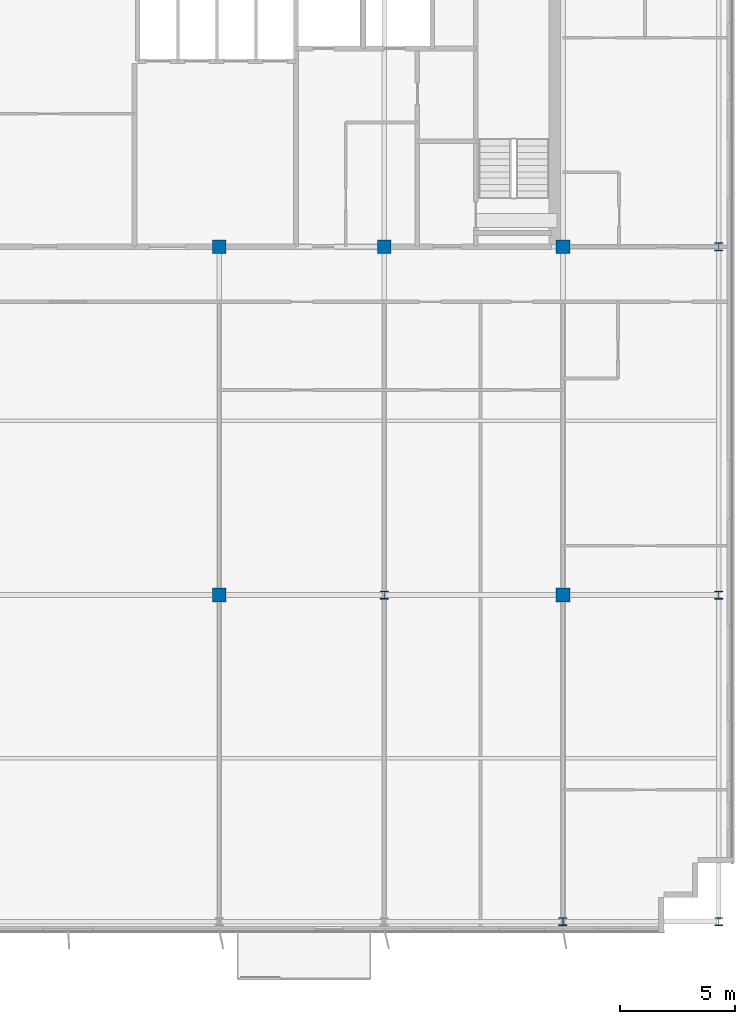
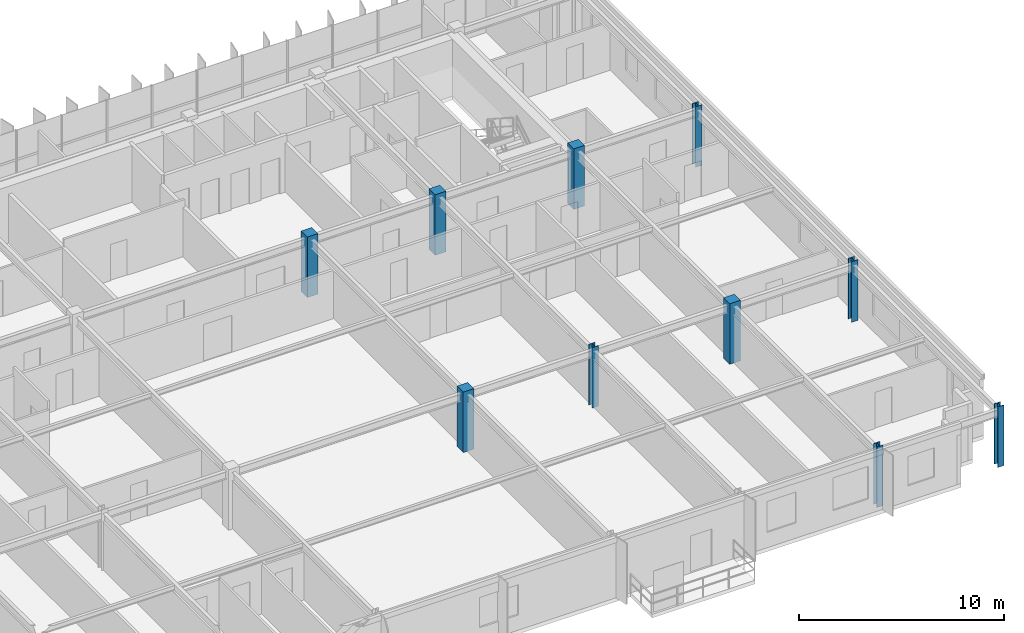
# One storey, part 2 of 22: 10 columns.
"""IFC4 building model written with IfcOpenShell, lengths in metres."""

from ifc_helpers import new_model, si_unit, direction, frame, origin, origin_2d, place, context, subcontext, project, spatial, rectangle, i_section, extrude, source, transform, mapped, material, material_profile, profile_set, type_object, element, save


model = new_model("IFC4")

# Units and contexts
model_context = context("Model", 3, precision=1e-05, world=origin(), true_north=direction((0.0, 1.0)))
body_context = subcontext(model_context, "Body", "Model", "MODEL_VIEW")
ifc_project = project(units=[si_unit("LENGTHUNIT", "METRE"), si_unit("AREAUNIT", "SQUARE_METRE"), si_unit("VOLUMEUNIT", "CUBIC_METRE"), si_unit("PLANEANGLEUNIT", "RADIAN"), si_unit("MASSUNIT", "GRAM", prefix="KILO")], contexts=[model_context])

# Site, building, storey
site_placement = place(None, origin())
site = spatial("IfcSite", under=ifc_project, at=site_placement, CompositionType="ELEMENT")
building_placement = place(site_placement, origin())
building = spatial("IfcBuilding", under=site, at=building_placement, Name="Trelvane Seafront Commons", CompositionType="ELEMENT")
storey_placement = place(building_placement, frame((0.0, 0.0, 277.5)))
storey = spatial("IfcBuildingStorey", under=building, at=storey_placement, Name="L72", CompositionType="ELEMENT", Elevation=277.5)

# Columns
ifc_material_1 = material(Name="Steel SM355 (S355)", Category="steel")
ifc_material_profile_1 = material_profile(ifc_material_1, i_section(OverallWidth=0.35009765625, OverallDepth=0.35009765625, WebThickness=0.01806640625, FlangeThickness=0.028076171875, at=origin_2d()), Name="HD-350x350x18x28")
ifc_profile_set_1 = profile_set([ifc_material_profile_1], Name="Steel SM355 (S355)")
column_type_1 = type_object("IfcColumnType", Name="STR-COL-HD350", PredefinedType="COLUMN", material=ifc_profile_set_1)
shared_shape_1 = source(origin(), body_context, "Body", "SweptSolid", [
    extrude(i_section(OverallWidth=0.35009765625, OverallDepth=0.35009765625, WebThickness=0.01806640625, FlangeThickness=0.028076171875, at=origin_2d()), origin(), (0.0, 0.0, 1.0), 3.60009765625),
])
for number, where, z_axis, x_axis, name in (
    (1, (51.0, 18.199951171875, 0.0), (0.0, 0.0, 1.0), (1.0, 0.0, 0.0), "L72 Column TC-M51.0"),
    (2, (58.800048828125, 3.949951171875, 0.0), (0.0, 0.0, 1.0), (1.0, 0.0, 0.0), "L72 Column TC-S58.8"),
    (3, (65.60009765625, 3.949951171875, 0.0), (0.0, 0.0, 1.0), (1.0, 0.0, 0.0), "L72 Column TC-S65.6"),
    (4, (65.60009765625, 18.199951171875, 0.0), (0.0, 0.0, 1.0), (1.0, 0.0, 0.0), "L72 Column TC-M65.6"),
    (5, (65.60009765625, 33.39990234375, 0.0), (0.0, 0.0, 1.0), (1.0, 0.0, 0.0), "L72 Column TC-CS65.6"),
):
    element("IfcColumn", number, at=place(storey_placement, frame(where, z_axis=z_axis, x_axis=x_axis)), inside=storey, type_object=column_type_1, Name=name, PredefinedType="COLUMN", context=body_context, shape_type="MappedRepresentation", body=[
        mapped(shared_shape_1, transform((0.0, 0.0, 0.0), x_axis=(1.0, 0.0, 0.0), y_axis=(0.0, 1.0, 0.0), z_axis=(0.0, 0.0, 1.0), scale=1.0)),
    ])
ifc_material_2 = material(Name="Concrete C50/60", Category="concrete")
ifc_material_profile_2 = material_profile(ifc_material_2, rectangle(XDim=0.60009765625, YDim=0.60009765625, at=origin_2d()), Name="RC-600x600")
ifc_profile_set_2 = profile_set([ifc_material_profile_2], Name="Concrete C50/60")
column_type_2 = type_object("IfcColumnType", Name="STR-COL-RC600", PredefinedType="COLUMN", material=ifc_profile_set_2)
shared_shape_2 = source(origin(), body_context, "Body", "SweptSolid", [
    extrude(rectangle(XDim=0.60009765625, YDim=0.60009765625, at=origin_2d()), origin(), (0.0, 0.0, 1.0), 3.60009765625),
])
for number, where, z_axis, x_axis, name in (
    (6, (43.800048828125, 18.199951171875, 0.0), (0.0, 0.0, 1.0), (1.0, 0.0, 0.0), "L72 Column TC-M43.8"),
    (7, (43.800048828125, 33.39990234375, 0.0), (0.0, 0.0, 1.0), (1.0, 0.0, 0.0), "L72 Column TC-CS43.8"),
    (8, (51.0, 33.39990234375, 0.0), (0.0, 0.0, 1.0), (1.0, 0.0, 0.0), "L72 Column TC-CS51.0"),
    (9, (58.800048828125, 18.199951171875, 0.0), (0.0, 0.0, 1.0), (1.0, 0.0, 0.0), "L72 Column TC-M58.8"),
    (10, (58.800048828125, 33.39990234375, 0.0), (0.0, 0.0, 1.0), (1.0, 0.0, 0.0), "L72 Column TC-CS58.8"),
):
    element("IfcColumn", number, at=place(storey_placement, frame(where, z_axis=z_axis, x_axis=x_axis)), inside=storey, type_object=column_type_2, Name=name, PredefinedType="COLUMN", context=body_context, shape_type="MappedRepresentation", body=[
        mapped(shared_shape_2, transform((0.0, 0.0, 0.0), x_axis=(1.0, 0.0, 0.0), y_axis=(0.0, 1.0, 0.0), z_axis=(0.0, 0.0, 1.0), scale=1.0)),
    ])

save(model, "model.ifc")
